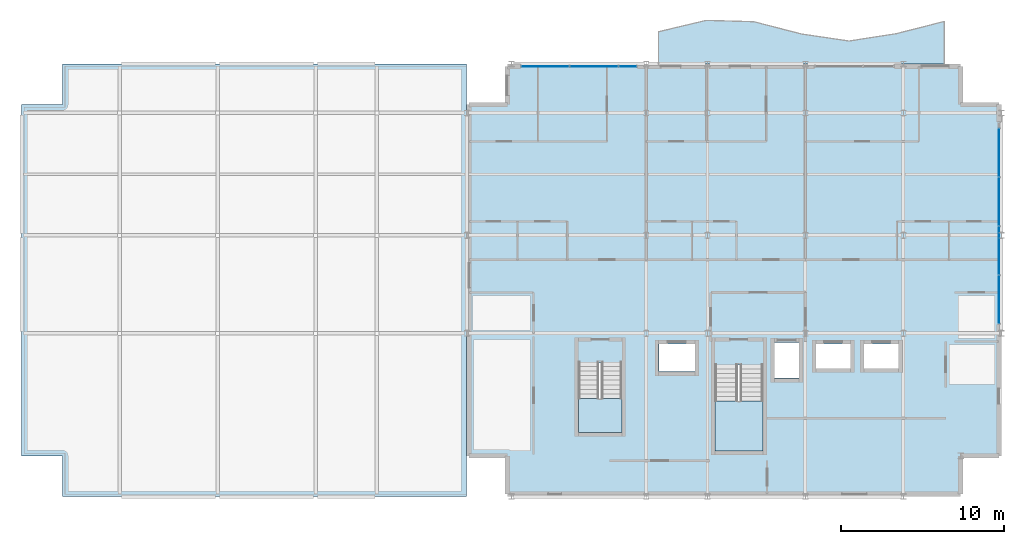
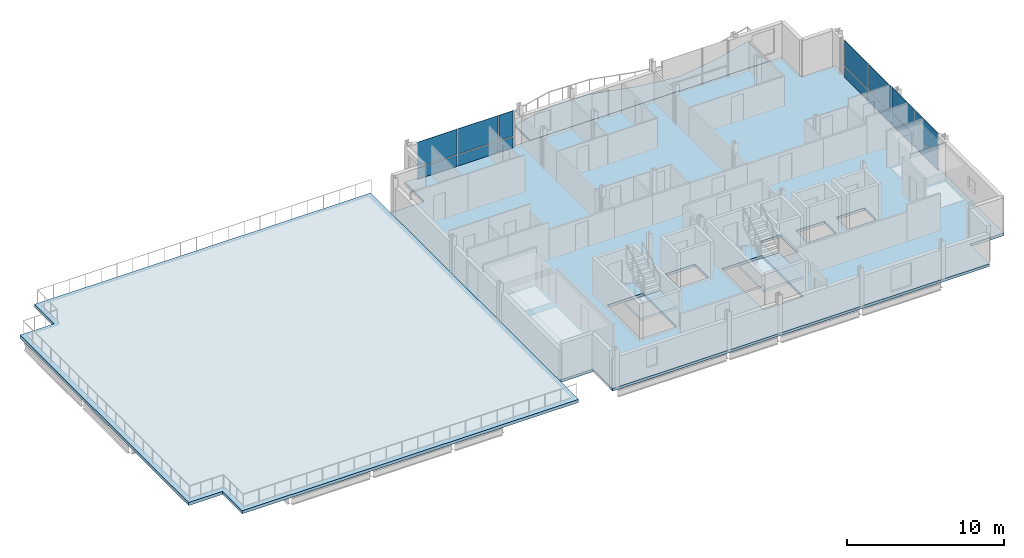
# One storey, part 11 of 17: 14 plates, 5 slabs, 4 elements without a shape of their own.
"""IFC4 building model written with IfcOpenShell, lengths in metres."""

from ifc_helpers import new_model, si_unit, direction, frame, origin, origin_2d, place, context, subcontext, project, spatial, polyline, rectangle, outline, extrude, material, layer, layer_set, type_object, element, aggregate, save


model = new_model("IFC4")

# Units and contexts
model_context = context("Model", 3, precision=1e-05, world=origin(), true_north=direction((0.0, 1.0)))
body_context = subcontext(model_context, "Body", "Model", "MODEL_VIEW")
ifc_project = project(units=[si_unit("LENGTHUNIT", "METRE"), si_unit("AREAUNIT", "SQUARE_METRE"), si_unit("VOLUMEUNIT", "CUBIC_METRE"), si_unit("PLANEANGLEUNIT", "RADIAN"), si_unit("MASSUNIT", "GRAM", prefix="KILO")], contexts=[model_context])

# Site, building, storey
site_placement = place(None, origin())
site = spatial("IfcSite", under=ifc_project, at=site_placement, CompositionType="ELEMENT")
building_placement = place(site_placement, origin())
building = spatial("IfcBuilding", under=site, at=building_placement, Name="Brevholm Reach", CompositionType="ELEMENT")
storey_placement = place(building_placement, frame((0.0, 0.0, 221.10009765625)))
storey = spatial("IfcBuildingStorey", under=building, at=storey_placement, Name="L67", CompositionType="ELEMENT", Elevation=221.10009765625)

# Curtain wall, plates
ifc_material_1 = material(Name="Dark Anodised Aluminium 6063-T6 and Solar-Control Glass", Category="aluminium")
ifc_layer_1 = layer(ifc_material_1, 0.14990234375)
ifc_layer_set_1 = layer_set([ifc_layer_1], Name="Dark Anodised Aluminium 6063-T6 and Solar-Control Glass")
curtain_wall_type = type_object("IfcCurtainWallType", Name="CW-01", PredefinedType="NOTDEFINED", material=ifc_layer_set_1)
curtain_wall_1_placement = place(storey_placement, origin())
curtain_wall_1 = element("IfcCurtainWall", 1, at=curtain_wall_1_placement, inside=storey, type_object=curtain_wall_type, Name="L67 Curtain Wall CW-01", PredefinedType="NOTDEFINED")
ifc_material_2 = material(Name="Dark Solar-Control Double-Glazed IGU Glass", Category="glass")
ifc_layer_2 = layer(ifc_material_2, 0.028076171875)
ifc_layer_set_2 = layer_set([ifc_layer_2], Name="Dark Solar-Control Double-Glazed IGU Glass")
plate_type = type_object("IfcPlateType", Name="CWP-GLZ-28", PredefinedType="CURTAIN_PANEL", material=ifc_layer_set_2)
plate_1_placement = place(storey_placement, frame((59.85009765625, 12.066162109375, 0.0), z_axis=(0.0, 0.0, 1.0), x_axis=(0.0, 1.0, 0.0)))
plate_1 = element("IfcPlate", 2, at=plate_1_placement, type_object=plate_type, Name="CP-01 Glazing Panel 1.1", PredefinedType="CURTAIN_PANEL", context=body_context, shape_type="SweptSolid", body=[
    extrude(rectangle(XDim=2.902587890625, YDim=0.028076171875, at=origin_2d()), origin(), (0.0, 0.0, 1.0), 0.867431640625),
])
plate_2_placement = place(storey_placement, frame((59.85009765625, 12.066162109375, 0.932373046875), z_axis=(0.0, 0.0, 1.0), x_axis=(0.0, 1.0, 0.0)))
plate_2 = element("IfcPlate", 3, at=plate_2_placement, type_object=plate_type, Name="CP-01 Glazing Panel 1.2", PredefinedType="CURTAIN_PANEL", context=body_context, shape_type="SweptSolid", body=[
    extrude(rectangle(XDim=2.902587890625, YDim=0.028076171875, at=origin_2d()), origin(), (0.0, 0.0, 1.0), 1.95751953125),
])
plate_3_placement = place(storey_placement, frame((59.85009765625, 15.050048828125, 0.0), z_axis=(0.0, 0.0, 1.0), x_axis=(0.0, 1.0, 0.0)))
plate_3 = element("IfcPlate", 4, at=plate_3_placement, type_object=plate_type, Name="CP-01 Glazing Panel 2.1", PredefinedType="CURTAIN_PANEL", context=body_context, shape_type="SweptSolid", body=[
    extrude(rectangle(XDim=2.93505859375, YDim=0.028076171875, at=origin_2d()), origin(), (0.0, 0.0, 1.0), 0.867431640625),
])
plate_4_placement = place(storey_placement, frame((59.85009765625, 15.050048828125, 0.932373046875), z_axis=(0.0, 0.0, 1.0), x_axis=(0.0, 1.0, 0.0)))
plate_4 = element("IfcPlate", 5, at=plate_4_placement, type_object=plate_type, Name="CP-01 Glazing Panel 2.2", PredefinedType="CURTAIN_PANEL", context=body_context, shape_type="SweptSolid", body=[
    extrude(rectangle(XDim=2.93505859375, YDim=0.028076171875, at=origin_2d()), origin(), (0.0, 0.0, 1.0), 1.95751953125),
])
plate_5_placement = place(storey_placement, frame((59.85009765625, 18.050048828125, 0.0), z_axis=(0.0, 0.0, 1.0), x_axis=(0.0, 1.0, 0.0)))
plate_5 = element("IfcPlate", 6, at=plate_5_placement, type_object=plate_type, Name="CP-01 Glazing Panel 3.1", PredefinedType="CURTAIN_PANEL", context=body_context, shape_type="SweptSolid", body=[
    extrude(rectangle(XDim=2.93505859375, YDim=0.028076171875, at=origin_2d()), origin(), (0.0, 0.0, 1.0), 0.867431640625),
])
plate_6_placement = place(storey_placement, frame((59.85009765625, 18.050048828125, 0.932373046875), z_axis=(0.0, 0.0, 1.0), x_axis=(0.0, 1.0, 0.0)))
plate_6 = element("IfcPlate", 7, at=plate_6_placement, type_object=plate_type, Name="CP-01 Glazing Panel 3.2", PredefinedType="CURTAIN_PANEL", context=body_context, shape_type="SweptSolid", body=[
    extrude(rectangle(XDim=2.93505859375, YDim=0.028076171875, at=origin_2d()), origin(), (0.0, 0.0, 1.0), 1.95751953125),
])
plate_7_placement = place(storey_placement, frame((59.85009765625, 21.050048828125, 0.0), z_axis=(0.0, 0.0, 1.0), x_axis=(0.0, 1.0, 0.0)))
plate_7 = element("IfcPlate", 8, at=plate_7_placement, type_object=plate_type, Name="CP-01 Glazing Panel 4.1", PredefinedType="CURTAIN_PANEL", context=body_context, shape_type="SweptSolid", body=[
    extrude(rectangle(XDim=2.93505859375, YDim=0.028076171875, at=origin_2d()), origin(), (0.0, 0.0, 1.0), 0.867431640625),
])
plate_8_placement = place(storey_placement, frame((59.85009765625, 21.050048828125, 0.932373046875), z_axis=(0.0, 0.0, 1.0), x_axis=(0.0, 1.0, 0.0)))
plate_8 = element("IfcPlate", 9, at=plate_8_placement, type_object=plate_type, Name="CP-01 Glazing Panel 4.2", PredefinedType="CURTAIN_PANEL", context=body_context, shape_type="SweptSolid", body=[
    extrude(rectangle(XDim=2.93505859375, YDim=0.028076171875, at=origin_2d()), origin(), (0.0, 0.0, 1.0), 1.95751953125),
])
aggregate(curtain_wall_1, [plate_1, plate_2, plate_3, plate_4, plate_5, plate_6, plate_7, plate_8])

curtain_wall_2_placement = place(storey_placement, origin())
curtain_wall_2 = element("IfcCurtainWall", 10, at=curtain_wall_2_placement, inside=storey, type_object=curtain_wall_type, Name="L67 Curtain Wall CW-01", PredefinedType="NOTDEFINED")
plate_9_placement = place(storey_placement, frame((32.066162109375, 26.35009765625, 0.0), z_axis=(0.0, 0.0, 1.0), x_axis=(1.0, 0.0, 0.0)))
plate_9 = element("IfcPlate", 11, at=plate_9_placement, type_object=plate_type, Name="CP-01 Glazing Panel 1.1", PredefinedType="CURTAIN_PANEL", context=body_context, shape_type="SweptSolid", body=[
    extrude(rectangle(XDim=2.902587890625, YDim=0.028076171875, at=origin_2d()), origin(), (0.0, 0.0, 1.0), 0.867431640625),
])
plate_10_placement = place(storey_placement, frame((32.066162109375, 26.35009765625, 0.932373046875), z_axis=(0.0, 0.0, 1.0), x_axis=(1.0, 0.0, 0.0)))
plate_10 = element("IfcPlate", 12, at=plate_10_placement, type_object=plate_type, Name="CP-01 Glazing Panel 1.2", PredefinedType="CURTAIN_PANEL", context=body_context, shape_type="SweptSolid", body=[
    extrude(rectangle(XDim=2.902587890625, YDim=0.028076171875, at=origin_2d()), origin(), (0.0, 0.0, 1.0), 1.95751953125),
])
plate_11_placement = place(storey_placement, frame((35.050048828125, 26.35009765625, 0.0), z_axis=(0.0, 0.0, 1.0), x_axis=(1.0, 0.0, 0.0)))
plate_11 = element("IfcPlate", 13, at=plate_11_placement, type_object=plate_type, Name="CP-01 Glazing Panel 2.1", PredefinedType="CURTAIN_PANEL", context=body_context, shape_type="SweptSolid", body=[
    extrude(rectangle(XDim=2.93505859375, YDim=0.028076171875, at=origin_2d()), origin(), (0.0, 0.0, 1.0), 0.867431640625),
])
plate_12_placement = place(storey_placement, frame((35.050048828125, 26.35009765625, 0.932373046875), z_axis=(0.0, 0.0, 1.0), x_axis=(1.0, 0.0, 0.0)))
plate_12 = element("IfcPlate", 14, at=plate_12_placement, type_object=plate_type, Name="CP-01 Glazing Panel 2.2", PredefinedType="CURTAIN_PANEL", context=body_context, shape_type="SweptSolid", body=[
    extrude(rectangle(XDim=2.93505859375, YDim=0.028076171875, at=origin_2d()), origin(), (0.0, 0.0, 1.0), 1.95751953125),
])
plate_13_placement = place(storey_placement, frame((37.108642578125, 26.35009765625, 0.0), z_axis=(0.0, 0.0, 1.0), x_axis=(1.0, 0.0, 0.0)))
plate_13 = element("IfcPlate", 15, at=plate_13_placement, type_object=plate_type, Name="CP-01 Glazing Panel 3.1", PredefinedType="CURTAIN_PANEL", context=body_context, shape_type="SweptSolid", body=[
    extrude(rectangle(XDim=1.052490234375, YDim=0.028076171875, at=origin_2d()), origin(), (0.0, 0.0, 1.0), 0.867431640625),
])
plate_14_placement = place(storey_placement, frame((37.108642578125, 26.35009765625, 0.932373046875), z_axis=(0.0, 0.0, 1.0), x_axis=(1.0, 0.0, 0.0)))
plate_14 = element("IfcPlate", 16, at=plate_14_placement, type_object=plate_type, Name="CP-01 Glazing Panel 3.2", PredefinedType="CURTAIN_PANEL", context=body_context, shape_type="SweptSolid", body=[
    extrude(rectangle(XDim=1.052490234375, YDim=0.028076171875, at=origin_2d()), origin(), (0.0, 0.0, 1.0), 1.95751953125),
])
aggregate(curtain_wall_2, [plate_9, plate_10, plate_11, plate_12, plate_13, plate_14])

# Slabs
ifc_material_3 = material(Name="Precast Concrete C45/55", Category="concrete")
ifc_layer_3 = layer(ifc_material_3, 0.14990234375)
ifc_layer_set_3 = layer_set([ifc_layer_3], Name="Precast Concrete C45/55")
slab_type_1 = type_object("IfcSlabType", Name="SLB-BAL-150", PredefinedType="FLOOR", material=ifc_layer_set_3)
slab_1_placement = place(storey_placement, frame((0.0, 0.0, -0.150146484375)))
element("IfcSlab", 17, at=slab_1_placement, inside=storey, type_object=slab_type_1, Name="L67 Rippling External Balcony NE", PredefinedType="FLOOR", context=body_context, shape_type="SweptSolid", body=[
    extrude(outline(polyline([(39.0, 26.5), (56.5, 26.5), (56.5, 29.099609375), (53.583251953125, 28.355224609375), (50.666748046875, 27.900146484375), (47.75, 28.3330078125), (44.833251953125, 29.08447265625), (41.916748046875, 29.165283203125), (39.0, 28.469482421875), (39.0, 26.5)])), origin(), (0.0, 0.0, 1.0), 0.150146484375),
])
ifc_material_4 = material(Name="Concrete C40/50", Category="concrete")
ifc_layer_4 = layer(ifc_material_4, 0.2099609375)
ifc_layer_set_4 = layer_set([ifc_layer_4], Name="Concrete C40/50")
slab_type_2 = type_object("IfcSlabType", Name="SLB-FL-210", PredefinedType="FLOOR", material=ifc_layer_set_4)
slab_2_placement = place(storey_placement, frame((0.0, 0.0, -0.210205078125)))
element("IfcSlab", 18, at=slab_2_placement, inside=storey, type_object=slab_type_2, Name="L67 Suspended Floor Slab (east-tower)", PredefinedType="FLOOR", context=body_context, shape_type="SweptSolid", body=[
    extrude(outline(polyline([(29.75, 0.0), (57.5, 0.0), (57.5, 2.5), (60.0, 2.5), (60.0, 24.0), (57.5, 24.0), (57.5, 26.5), (29.75, 26.5), (29.75, 24.0), (27.25, 24.0), (27.25, 2.5), (29.75, 2.5), (29.75, 0.0)]), holes=[polyline([(42.449951171875, 2.780029296875), (45.39990234375, 2.780029296875), (45.39990234375, 8.044921875), (42.449951171875, 8.044921875), (42.449951171875, 2.780029296875)]), polyline([(34.10009765625, 3.919921875), (36.75, 3.919921875), (36.75, 8.195068359375), (34.10009765625, 8.195068359375), (34.10009765625, 3.919921875)]), polyline([(46.10009765625, 7.25), (47.60009765625, 7.25), (47.60009765625, 9.449951171875), (46.10009765625, 9.449951171875), (46.10009765625, 7.25)]), polyline([(39.02001953125, 7.64990234375), (41.219970703125, 7.64990234375), (41.219970703125, 9.35009765625), (39.02001953125, 9.35009765625), (39.02001953125, 7.64990234375)]), polyline([(48.64990234375, 7.85009765625), (50.75, 7.85009765625), (50.75, 9.35009765625), (48.64990234375, 9.35009765625), (48.64990234375, 7.85009765625)]), polyline([(51.60009765625, 7.85009765625), (53.699951171875, 7.85009765625), (53.699951171875, 9.35009765625), (51.60009765625, 9.35009765625), (51.60009765625, 7.85009765625)])]), origin(), (0.0, 0.0, 1.0), 0.210205078125),
])

# Stair, slab
ifc_material_5 = material(Name="Precast Concrete C40/50", Category="concrete")
stair_type_1 = type_object("IfcStairType", Name="STR-ESC-1400", PredefinedType="DOUBLE_RETURN_STAIR", material=ifc_material_5)
stair_1_placement = place(storey_placement, origin())
stair_1 = element("IfcStair", 19, at=stair_1_placement, inside=storey, type_object=stair_type_1, Name="L67 ST-2", PredefinedType="DOUBLE_RETURN_STAIR")
ifc_material_6 = material(Name="Concrete C40/50", Category="concrete")
ifc_layer_5 = layer(ifc_material_6, 0.199951171875)
ifc_layer_set_5 = layer_set([ifc_layer_5], Name="Concrete C40/50")
slab_type_3 = type_object("IfcSlabType", Name="SLB-LND-200", PredefinedType="LANDING", material=ifc_layer_set_5)
slab_3_placement = place(storey_placement, frame((0.0, 0.0, 1.349853515625)))
slab_3 = element("IfcSlab", 20, at=slab_3_placement, type_object=slab_type_3, Name="ST-2 landing 1", PredefinedType="LANDING", context=body_context, shape_type="SweptSolid", body=[
    extrude(outline(polyline([(42.449951171875, 5.860107421875), (42.449951171875, 2.780029296875), (45.39990234375, 2.780029296875), (45.39990234375, 5.860107421875), (42.449951171875, 5.860107421875)])), origin(), (0.0, 0.0, 1.0), 0.199951171875),
])
aggregate(stair_1, [slab_3])

ifc_material_7 = material(Name="Precast Concrete C40/50", Category="concrete")
stair_type_2 = type_object("IfcStairType", Name="STR-ESC-1250", PredefinedType="DOUBLE_RETURN_STAIR", material=ifc_material_7)
stair_2_placement = place(storey_placement, origin())
stair_2 = element("IfcStair", 21, at=stair_2_placement, inside=storey, type_object=stair_type_2, Name="L67 ST-3", PredefinedType="DOUBLE_RETURN_STAIR")
slab_4_placement = place(storey_placement, frame((0.0, 0.0, 1.349853515625)))
slab_4 = element("IfcSlab", 22, at=slab_4_placement, type_object=slab_type_3, Name="ST-3 landing 1", PredefinedType="LANDING", context=body_context, shape_type="SweptSolid", body=[
    extrude(outline(polyline([(34.10009765625, 6.010009765625), (34.10009765625, 3.919921875), (36.75, 3.919921875), (36.75, 6.010009765625), (34.10009765625, 6.010009765625)])), origin(), (0.0, 0.0, 1.0), 0.199951171875),
])
aggregate(stair_2, [slab_4])

# Slab
ifc_material_8 = material(Name="Concrete C40/50", Category="concrete")
ifc_layer_6 = layer(ifc_material_8, 0.239990234375)
ifc_layer_set_6 = layer_set([ifc_layer_6], Name="Concrete C40/50")
slab_type_4 = type_object("IfcSlabType", Name="SLB-RF-240", PredefinedType="ROOF", material=ifc_layer_set_6)
slab_5_placement = place(storey_placement, frame((0.0, 0.0, -0.210205078125)))
element("IfcSlab", 23, at=slab_5_placement, inside=storey, type_object=slab_type_4, Name="Outdoor Terrace Roof Slab (west-wing-roof-terrace)", PredefinedType="ROOF", context=body_context, shape_type="SweptSolid", body=[
    extrude(outline(polyline([(2.5, 0.0), (27.25, 0.0), (27.25, 26.5), (2.5, 26.5), (2.5, 24.0), (0.0, 24.0), (0.0, 2.5), (2.5, 2.5), (2.5, 0.0)])), origin(), (0.0, 0.0, 1.0), 0.239990234375),
])

save(model, "model.ifc")
